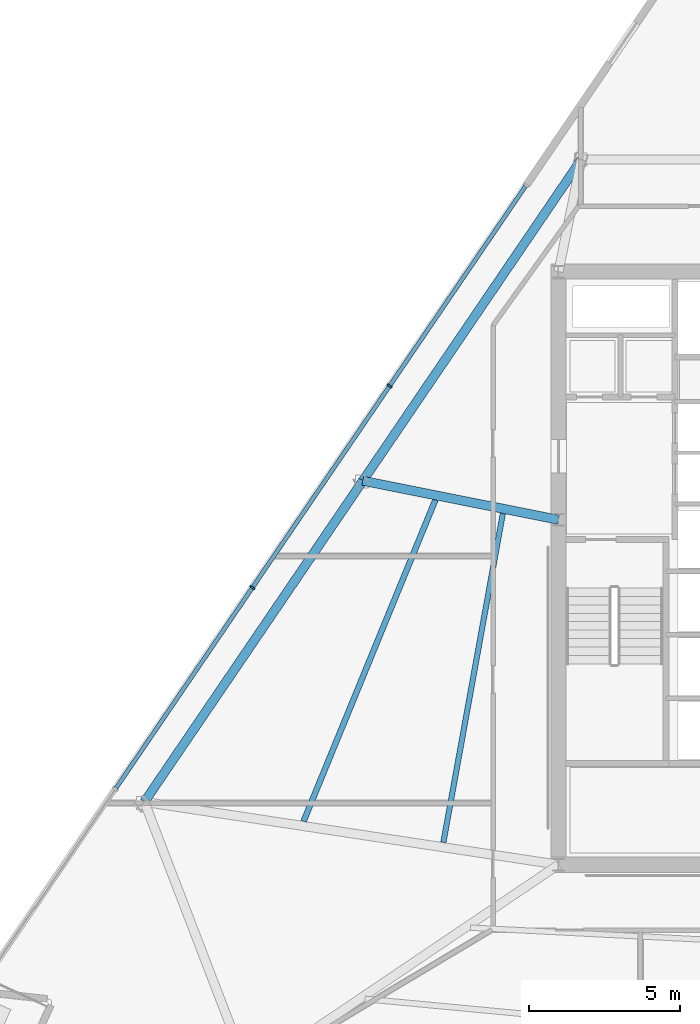
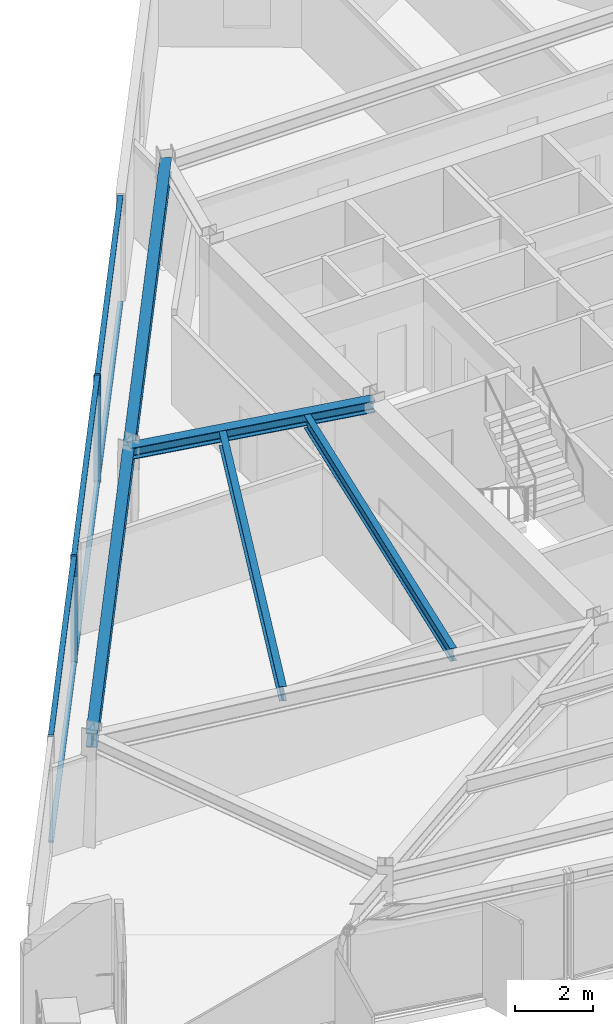
# One storey, part 3 of 15: 8 members, 5 beams, 1 element without a shape of its own.
"""IFC4 building model written with IfcOpenShell, lengths in metres."""

from ifc_helpers import new_model, si_unit, direction, frame, origin, origin_2d, place, context, subcontext, project, spatial, rectangle, i_section, extrude, material, material_profile, profile_set, type_object, element, aggregate, save


model = new_model("IFC4")

# Units and contexts
model_context = context("Model", 3, precision=1e-05, world=origin(), true_north=direction((0.0, 1.0)))
body_context = subcontext(model_context, "Body", "Model", "MODEL_VIEW")
ifc_project = project(units=[si_unit("LENGTHUNIT", "METRE"), si_unit("AREAUNIT", "SQUARE_METRE"), si_unit("VOLUMEUNIT", "CUBIC_METRE"), si_unit("PLANEANGLEUNIT", "RADIAN"), si_unit("MASSUNIT", "GRAM", prefix="KILO")], contexts=[model_context])

# Site, building, storey
site_placement = place(None, origin())
site = spatial("IfcSite", under=ifc_project, at=site_placement, CompositionType="ELEMENT")
building_placement = place(site_placement, origin())
building = spatial("IfcBuilding", under=site, at=building_placement, Name="Savorim Split Tower", CompositionType="ELEMENT")
storey_placement = place(building_placement, frame((0.0, 0.0, 145.800048828125)))
storey = spatial("IfcBuildingStorey", under=building, at=storey_placement, Name="L38", CompositionType="ELEMENT", Elevation=145.800048828125)

# Beams
ifc_material_1 = material(Name="Steel S355", Category="steel")
ifc_material_profile_1 = material_profile(ifc_material_1, i_section(OverallWidth=0.179931640625, OverallDepth=0.39990234375, WebThickness=0.008544921875, FlangeThickness=0.013427734375, FilletRadius=0.02099609375, at=origin_2d()), Name="IPE 400")
ifc_profile_set_1 = profile_set([ifc_material_profile_1], Name="Steel S355")
beam_type_1 = type_object("IfcBeamType", Name="BM-JST-IPE400", PredefinedType="JOIST", material=ifc_profile_set_1)
beam_1_placement = place(storey_placement, frame((-9.538818359375, 2.203125, 3.14990234375), z_axis=(-0.177920169478, -0.984044924428, 0.0), x_axis=(0.984044924428, -0.177920169478, 0.0)))
element("IfcBeam", 1, at=beam_1_placement, inside=storey, type_object=beam_type_1, Name="L38 Secondary Floor Joist JS-11", PredefinedType="JOIST", context=body_context, shape_type="SweptSolid", body=[
    extrude(i_section(OverallWidth=0.179931640625, OverallDepth=0.39990234375, WebThickness=0.008544921875, FlangeThickness=0.013427734375, FilletRadius=0.02099609375, at=origin_2d()), origin(), (0.0, 0.0, 1.0), 11.040771484375),
])
ifc_material_profile_2 = material_profile(ifc_material_1, i_section(OverallWidth=0.18994140625, OverallDepth=0.449951171875, WebThickness=0.009521484375, FlangeThickness=0.0146484375, FilletRadius=0.02099609375, at=origin_2d()), Name="IPE 450")
ifc_profile_set_2 = profile_set([ifc_material_profile_2], Name="Steel S355")
beam_type_2 = type_object("IfcBeamType", Name="BM-JST-IPE450", PredefinedType="JOIST", material=ifc_profile_set_2)
beam_2_placement = place(storey_placement, frame((-11.76904296875, 2.650146484375, 3.125), z_axis=(-0.3795208641, -0.925183178464, 0.0), x_axis=(0.925183178464, -0.3795208641, 0.0)))
element("IfcBeam", 2, at=beam_2_placement, inside=storey, type_object=beam_type_2, Name="L38 Secondary Floor Joist JS-10", PredefinedType="JOIST", context=body_context, shape_type="SweptSolid", body=[
    extrude(i_section(OverallWidth=0.18994140625, OverallDepth=0.449951171875, WebThickness=0.009521484375, FlangeThickness=0.0146484375, FilletRadius=0.02099609375, at=origin_2d()), origin(), (0.0, 0.0, 1.0), 11.4736328125),
])
ifc_material_profile_3 = material_profile(ifc_material_1, i_section(OverallWidth=0.300048828125, OverallDepth=0.360107421875, WebThickness=0.012451171875, FlangeThickness=0.0224609375, FilletRadius=0.027099609375, at=origin_2d()), Name="HEB 360")
ifc_profile_set_3 = profile_set([ifc_material_profile_3], Name="Steel S355")
beam_type_3 = type_object("IfcBeamType", Name="BM-PRI-HEB360", PredefinedType="BEAM", material=ifc_profile_set_3)
beam_3_placement = place(storey_placement, frame((-14.165283203125, 3.28759765625, 3.169921875), z_axis=(0.980739883231, -0.195318410398, 0.0), x_axis=(0.195318410398, 0.980739883231, 0.0)))
element("IfcBeam", 3, at=beam_3_placement, inside=storey, type_object=beam_type_3, Name="L38 Primary Floor Girder RG-09", PredefinedType="BEAM", context=body_context, shape_type="SweptSolid", body=[
    extrude(i_section(OverallWidth=0.300048828125, OverallDepth=0.360107421875, WebThickness=0.012451171875, FlangeThickness=0.0224609375, FilletRadius=0.027099609375, at=origin_2d()), origin(), (0.0, 0.0, 1.0), 6.59228515625),
])
ifc_material_profile_4 = material_profile(ifc_material_1, i_section(OverallWidth=0.300048828125, OverallDepth=0.43994140625, WebThickness=0.011474609375, FlangeThickness=0.02099609375, FilletRadius=0.027099609375, at=origin_2d()), Name="HEA 450")
ifc_profile_set_4 = profile_set([ifc_material_profile_4], Name="Steel S355")
beam_type_4 = type_object("IfcBeamType", Name="BM-SPN-HEA450", PredefinedType="SPANDREL", material=ifc_profile_set_4)
beam_4_placement = place(storey_placement, frame((-6.9462890625, 13.8994140625, 3.1298828125), z_axis=(-0.562467662418, -0.826819284205, 0.0), x_axis=(0.826819284205, -0.562467662418, 0.0)))
element("IfcBeam", 4, at=beam_4_placement, inside=storey, type_object=beam_type_4, Name="L38 Perimeter Spandrel Beam 8", PredefinedType="SPANDREL", context=body_context, shape_type="SweptSolid", body=[
    extrude(i_section(OverallWidth=0.300048828125, OverallDepth=0.43994140625, WebThickness=0.011474609375, FlangeThickness=0.02099609375, FilletRadius=0.027099609375, at=origin_2d()), origin(), (0.0, 0.0, 1.0), 12.83447265625),
])
beam_5_placement = place(storey_placement, frame((-14.165283203125, 3.28759765625, 3.1298828125), z_axis=(-0.562458816074, -0.826825302117, 0.0), x_axis=(0.826825302117, -0.562458816074, 0.0)))
element("IfcBeam", 5, at=beam_5_placement, inside=storey, type_object=beam_type_4, Name="L38 Perimeter Spandrel Beam 9", PredefinedType="SPANDREL", context=body_context, shape_type="SweptSolid", body=[
    extrude(i_section(OverallWidth=0.300048828125, OverallDepth=0.43994140625, WebThickness=0.011474609375, FlangeThickness=0.02099609375, FilletRadius=0.027099609375, at=origin_2d()), origin(), (0.0, 0.0, 1.0), 12.834716796875),
])

# Curtain wall, members
ifc_material_2 = material(Name="Dark Ceramic-Fritted Insulated Glass", Category="glass")
curtain_wall_type = type_object("IfcCurtainWallType", Name="CW-TWR-FRIT-A", PredefinedType="NOTDEFINED", material=ifc_material_2)
curtain_wall_placement = place(storey_placement, origin())
curtain_wall = element("IfcCurtainWall", 6, at=curtain_wall_placement, inside=storey, type_object=curtain_wall_type, Name="L38 Curtain Wall CW-L38-WEST", PredefinedType="NOTDEFINED")
ifc_material_3 = material(Name="Charcoal Anodised Aluminium", Category="aluminium")
ifc_material_profile_5 = material_profile(ifc_material_3, rectangle(XDim=0.179931640625, YDim=0.06494140625, at=origin_2d()), Name="ALU-M 180x65")
ifc_profile_set_5 = profile_set([ifc_material_profile_5], Name="Charcoal Anodised Aluminium")
member_type_1 = type_object("IfcMemberType", Name="CWM-180x65", PredefinedType="MULLION", material=ifc_profile_set_5)
member_1_placement = place(storey_placement, frame((-13.281494140625, 6.42041015625, 0.0), z_axis=(0.0, 0.0, 1.0), x_axis=(0.826820104662, -0.562466456356, 0.0)))
member_1 = element("IfcMember", 7, at=member_1_placement, type_object=member_type_1, Name="CW-02 mullion 2", PredefinedType="MULLION", context=body_context, shape_type="SweptSolid", body=[
    extrude(rectangle(XDim=0.179931640625, YDim=0.06494140625, at=origin_2d()), origin(), (0.0, 0.0, 1.0), 3.349853515625),
])
member_2_placement = place(storey_placement, frame((-17.8125, -0.240234375, 0.0), z_axis=(0.0, 0.0, 1.0), x_axis=(0.826820104662, -0.562466456356, 0.0)))
member_2 = element("IfcMember", 8, at=member_2_placement, type_object=member_type_1, Name="CW-02 mullion 3", PredefinedType="MULLION", context=body_context, shape_type="SweptSolid", body=[
    extrude(rectangle(XDim=0.179931640625, YDim=0.06494140625, at=origin_2d()), origin(), (0.0, 0.0, 1.0), 3.349853515625),
])
ifc_material_profile_6 = material_profile(ifc_material_3, rectangle(XDim=0.139892578125, YDim=0.054931640625, at=origin_2d()), Name="ALU-T 140x55")
ifc_profile_set_6 = profile_set([ifc_material_profile_6], Name="Charcoal Anodised Aluminium")
member_type_2 = type_object("IfcMemberType", Name="CWT-140x55", PredefinedType="USERDEFINED", material=ifc_profile_set_6)
member_3_placement = place(storey_placement, frame((-8.787109375, 13.027099609375, 0.02734375), z_axis=(-0.562463573117, -0.826822066056, 0.0), x_axis=(0.826822066056, -0.562463573117, 0.0)))
member_3 = element("IfcMember", 9, at=member_3_placement, type_object=member_type_2, Name="CW-02 transom 1.1", ObjectType="TRANSOM", PredefinedType="USERDEFINED", context=body_context, shape_type="SweptSolid", body=[
    extrude(rectangle(XDim=0.139892578125, YDim=0.054931640625, at=origin_2d()), origin(), (0.0, 0.0, 1.0), 7.9580078125),
])
member_4_placement = place(storey_placement, frame((-8.787109375, 13.027099609375, 3.322509765625), z_axis=(-0.562463573117, -0.826822066056, 0.0), x_axis=(0.826822066056, -0.562463573117, 0.0)))
member_4 = element("IfcMember", 10, at=member_4_placement, type_object=member_type_2, Name="CW-02 transom 1.2", ObjectType="TRANSOM", PredefinedType="USERDEFINED", context=body_context, shape_type="SweptSolid", body=[
    extrude(rectangle(XDim=0.139892578125, YDim=0.054931640625, at=origin_2d()), origin(), (0.0, 0.0, 1.0), 7.9580078125),
])
member_5_placement = place(storey_placement, frame((-13.2998046875, 6.3935546875, 0.02734375), z_axis=(-0.562452917509, -0.826829314663, 0.0), x_axis=(0.826829314663, -0.562452917509, 0.0)))
member_5 = element("IfcMember", 11, at=member_5_placement, type_object=member_type_2, Name="CW-02 transom 2.1", ObjectType="TRANSOM", PredefinedType="USERDEFINED", context=body_context, shape_type="SweptSolid", body=[
    extrude(rectangle(XDim=0.139892578125, YDim=0.054931640625, at=origin_2d()), origin(), (0.0, 0.0, 1.0), 7.99072265625),
])
member_6_placement = place(storey_placement, frame((-13.2998046875, 6.3935546875, 3.322509765625), z_axis=(-0.562452917509, -0.826829314663, 0.0), x_axis=(0.826829314663, -0.562452917509, 0.0)))
member_6 = element("IfcMember", 12, at=member_6_placement, type_object=member_type_2, Name="CW-02 transom 2.2", ObjectType="TRANSOM", PredefinedType="USERDEFINED", context=body_context, shape_type="SweptSolid", body=[
    extrude(rectangle(XDim=0.139892578125, YDim=0.054931640625, at=origin_2d()), origin(), (0.0, 0.0, 1.0), 7.99072265625),
])
member_7_placement = place(storey_placement, frame((-17.830810546875, -0.26708984375, 0.02734375), z_axis=(-0.562467126605, -0.826819648707, 0.0), x_axis=(0.826819648707, -0.562467126605, 0.0)))
member_7 = element("IfcMember", 13, at=member_7_placement, type_object=member_type_2, Name="CW-02 transom 3.1", ObjectType="TRANSOM", PredefinedType="USERDEFINED", context=body_context, shape_type="SweptSolid", body=[
    extrude(rectangle(XDim=0.139892578125, YDim=0.054931640625, at=origin_2d()), origin(), (0.0, 0.0, 1.0), 7.990478515625),
])
member_8_placement = place(storey_placement, frame((-17.830810546875, -0.26708984375, 3.322509765625), z_axis=(-0.562467126605, -0.826819648707, 0.0), x_axis=(0.826819648707, -0.562467126605, 0.0)))
member_8 = element("IfcMember", 14, at=member_8_placement, type_object=member_type_2, Name="CW-02 transom 3.2", ObjectType="TRANSOM", PredefinedType="USERDEFINED", context=body_context, shape_type="SweptSolid", body=[
    extrude(rectangle(XDim=0.139892578125, YDim=0.054931640625, at=origin_2d()), origin(), (0.0, 0.0, 1.0), 7.990478515625),
])
aggregate(curtain_wall, [member_1, member_2, member_3, member_4, member_5, member_6, member_7, member_8])

save(model, "model.ifc")
